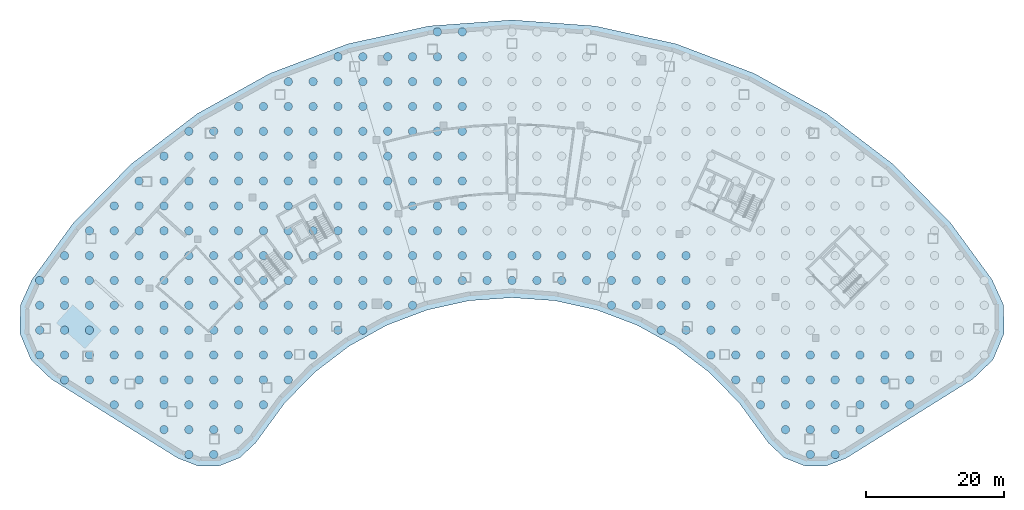
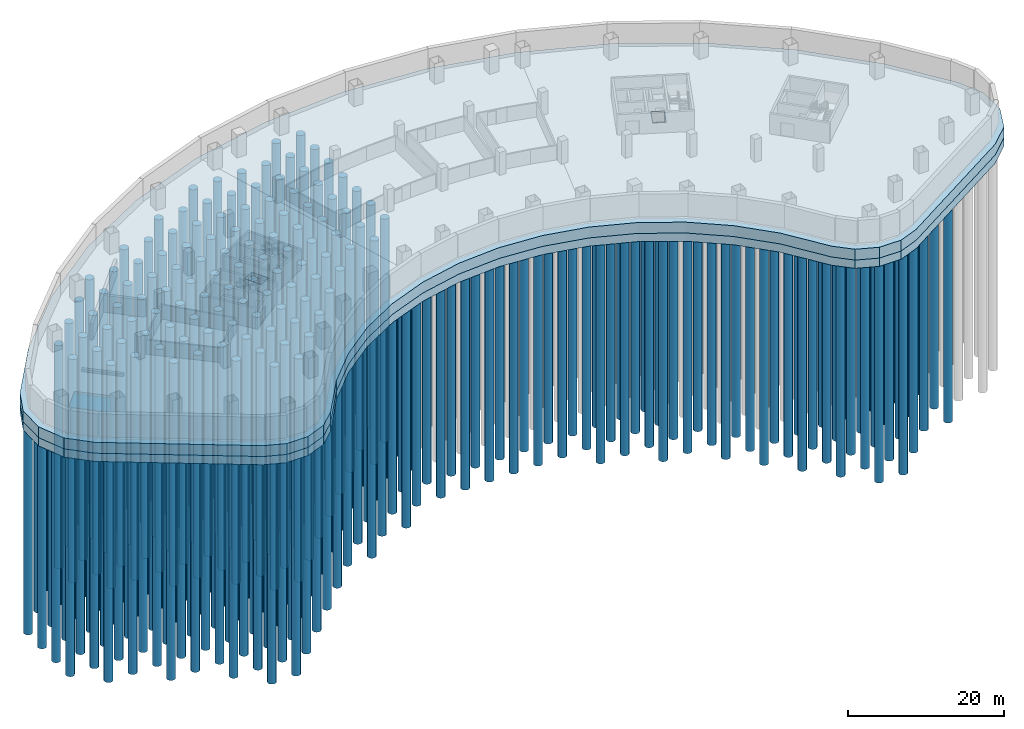
# One storey, part 1 of 10: 253 piles, 2 footings.
"""IFC4 building model written with IfcOpenShell, lengths in metres."""

from ifc_helpers import new_model, si_unit, direction, frame, origin, origin_2d, place, context, subcontext, project, spatial, polyline, circle, outline, extrude, material, layer, layer_set, material_profile, profile_set, type_object, element, save


model = new_model("IFC4")

# Units and contexts
model_context = context("Model", 3, precision=1e-05, world=origin(), true_north=direction((0.0, 1.0)))
body_context = subcontext(model_context, "Body", "Model", "MODEL_VIEW")
ifc_project = project(units=[si_unit("LENGTHUNIT", "METRE"), si_unit("AREAUNIT", "SQUARE_METRE"), si_unit("VOLUMEUNIT", "CUBIC_METRE"), si_unit("PLANEANGLEUNIT", "RADIAN"), si_unit("MASSUNIT", "GRAM", prefix="KILO")], contexts=[model_context])

# Site, building, storey
site_placement = place(None, origin())
site = spatial("IfcSite", under=ifc_project, at=site_placement, CompositionType="ELEMENT")
building_placement = place(site_placement, origin())
building = spatial("IfcBuilding", under=site, at=building_placement, Name="Tuul Gate Civic Tower", CompositionType="ELEMENT")
storey_placement = place(building_placement, frame((0.0, 0.0, -11.699951171875)))
storey = spatial("IfcBuildingStorey", under=building, at=storey_placement, Name="Basement 3", CompositionType="ELEMENT", Elevation=-11.699951171875)

# Piles
ifc_material_1 = material(Name="Concrete C50/60", Category="concrete")
ifc_material_profile = material_profile(ifc_material_1, circle(Radius=0.60009765625, at=origin_2d()), Name="PILE1200")
ifc_profile_set = profile_set([ifc_material_profile], Name="Concrete C50/60")
pile_type = type_object("IfcPileType", Name="STR-BORED-PILE-D1200", PredefinedType="BORED", material=ifc_profile_set)
for number, where, z_axis, x_axis, name in (
    (1, (-68.39990234375, -25.199951171875, -3.25), (0.0, 0.0, -1.0), (1.0, 0.0, 0.0), "B3/pile/0001"),
    (2, (-68.39990234375, -21.60009765625, -3.25), (0.0, 0.0, -1.0), (1.0, 0.0, 0.0), "B3/pile/0002"),
    (3, (-68.39990234375, -18.0, -3.25), (0.0, 0.0, -1.0), (1.0, 0.0, 0.0), "B3/pile/0003"),
    (4, (-68.39990234375, -14.39990234375, -3.25), (0.0, 0.0, -1.0), (1.0, 0.0, 0.0), "B3/pile/0004"),
    (5, (-64.800048828125, -28.800048828125, -3.25), (0.0, 0.0, -1.0), (1.0, 0.0, 0.0), "B3/pile/0005"),
    (6, (-64.800048828125, -25.199951171875, -3.25), (0.0, 0.0, -1.0), (1.0, 0.0, 0.0), "B3/pile/0006"),
    (7, (-64.800048828125, -21.60009765625, -3.25), (0.0, 0.0, -1.0), (1.0, 0.0, 0.0), "B3/pile/0007"),
    (8, (-64.800048828125, -18.0, -3.25), (0.0, 0.0, -1.0), (1.0, 0.0, 0.0), "B3/pile/0008"),
    (9, (-64.800048828125, -14.39990234375, -3.25), (0.0, 0.0, -1.0), (1.0, 0.0, 0.0), "B3/pile/0009"),
    (10, (-64.800048828125, -10.800048828125, -3.25), (0.0, 0.0, -1.0), (1.0, 0.0, 0.0), "B3/pile/0010"),
    (11, (-61.199951171875, -28.800048828125, -3.25), (0.0, 0.0, -1.0), (1.0, 0.0, 0.0), "B3/pile/0011"),
    (12, (-61.199951171875, -25.199951171875, -3.25), (0.0, 0.0, -1.0), (1.0, 0.0, 0.0), "B3/pile/0012"),
    (13, (-61.199951171875, -21.60009765625, -3.25), (0.0, 0.0, -1.0), (1.0, 0.0, 0.0), "B3/pile/0013"),
    (14, (-61.199951171875, -18.0, -3.25), (0.0, 0.0, -1.0), (1.0, 0.0, 0.0), "B3/pile/0014"),
    (15, (-61.199951171875, -14.39990234375, -3.25), (0.0, 0.0, -1.0), (1.0, 0.0, 0.0), "B3/pile/0015"),
    (16, (-61.199951171875, -10.800048828125, -3.25), (0.0, 0.0, -1.0), (1.0, 0.0, 0.0), "B3/pile/0016"),
    (17, (-61.199951171875, -7.199951171875, -3.25), (0.0, 0.0, -1.0), (1.0, 0.0, 0.0), "B3/pile/0017"),
    (18, (-57.60009765625, -32.39990234375, -3.25), (0.0, 0.0, -1.0), (1.0, 0.0, 0.0), "B3/pile/0018"),
    (19, (-57.60009765625, -28.800048828125, -3.25), (0.0, 0.0, -1.0), (1.0, 0.0, 0.0), "B3/pile/0019"),
    (20, (-57.60009765625, -25.199951171875, -3.25), (0.0, 0.0, -1.0), (1.0, 0.0, 0.0), "B3/pile/0020"),
    (21, (-57.60009765625, -21.60009765625, -3.25), (0.0, 0.0, -1.0), (1.0, 0.0, 0.0), "B3/pile/0021"),
    (22, (-57.60009765625, -18.0, -3.25), (0.0, 0.0, -1.0), (1.0, 0.0, 0.0), "B3/pile/0022"),
    (23, (-57.60009765625, -14.39990234375, -3.25), (0.0, 0.0, -1.0), (1.0, 0.0, 0.0), "B3/pile/0023"),
    (24, (-57.60009765625, -10.800048828125, -3.25), (0.0, 0.0, -1.0), (1.0, 0.0, 0.0), "B3/pile/0024"),
    (25, (-57.60009765625, -7.199951171875, -3.25), (0.0, 0.0, -1.0), (1.0, 0.0, 0.0), "B3/pile/0025"),
    (26, (-57.60009765625, -3.60009765625, -3.25), (0.0, 0.0, -1.0), (1.0, 0.0, 0.0), "B3/pile/0026"),
    (27, (-54.0, -32.39990234375, -3.25), (0.0, 0.0, -1.0), (1.0, 0.0, 0.0), "B3/pile/0027"),
    (28, (-54.0, -28.800048828125, -3.25), (0.0, 0.0, -1.0), (1.0, 0.0, 0.0), "B3/pile/0028"),
    (29, (-54.0, -25.199951171875, -3.25), (0.0, 0.0, -1.0), (1.0, 0.0, 0.0), "B3/pile/0029"),
    (30, (-54.0, -21.60009765625, -3.25), (0.0, 0.0, -1.0), (1.0, 0.0, 0.0), "B3/pile/0030"),
    (31, (-54.0, -18.0, -3.25), (0.0, 0.0, -1.0), (1.0, 0.0, 0.0), "B3/pile/0031"),
    (32, (-54.0, -14.39990234375, -3.25), (0.0, 0.0, -1.0), (1.0, 0.0, 0.0), "B3/pile/0032"),
    (33, (-54.0, -10.800048828125, -3.25), (0.0, 0.0, -1.0), (1.0, 0.0, 0.0), "B3/pile/0033"),
    (34, (-54.0, -7.199951171875, -3.25), (0.0, 0.0, -1.0), (1.0, 0.0, 0.0), "B3/pile/0034"),
    (35, (-54.0, -3.60009765625, -3.25), (0.0, 0.0, -1.0), (1.0, 0.0, 0.0), "B3/pile/0035"),
    (36, (-54.0, 0.0, -3.25), (0.0, 0.0, -1.0), (1.0, 0.0, 0.0), "B3/pile/0036"),
    (37, (-50.39990234375, -36.0, -3.25), (0.0, 0.0, -1.0), (1.0, 0.0, 0.0), "B3/pile/0037"),
    (38, (-50.39990234375, -32.39990234375, -3.25), (0.0, 0.0, -1.0), (1.0, 0.0, 0.0), "B3/pile/0038"),
    (39, (-50.39990234375, -28.800048828125, -3.25), (0.0, 0.0, -1.0), (1.0, 0.0, 0.0), "B3/pile/0039"),
    (40, (-50.39990234375, -25.199951171875, -3.25), (0.0, 0.0, -1.0), (1.0, 0.0, 0.0), "B3/pile/0040"),
    (41, (-50.39990234375, -21.60009765625, -3.25), (0.0, 0.0, -1.0), (1.0, 0.0, 0.0), "B3/pile/0041"),
    (42, (-50.39990234375, -18.0, -3.25), (0.0, 0.0, -1.0), (1.0, 0.0, 0.0), "B3/pile/0042"),
    (43, (-50.39990234375, -14.39990234375, -3.25), (0.0, 0.0, -1.0), (1.0, 0.0, 0.0), "B3/pile/0043"),
    (44, (-50.39990234375, -10.800048828125, -3.25), (0.0, 0.0, -1.0), (1.0, 0.0, 0.0), "B3/pile/0044"),
    (45, (-50.39990234375, -7.199951171875, -3.25), (0.0, 0.0, -1.0), (1.0, 0.0, 0.0), "B3/pile/0045"),
    (46, (-50.39990234375, -3.60009765625, -3.25), (0.0, 0.0, -1.0), (1.0, 0.0, 0.0), "B3/pile/0046"),
    (47, (-50.39990234375, 0.0, -3.25), (0.0, 0.0, -1.0), (1.0, 0.0, 0.0), "B3/pile/0047"),
    (48, (-50.39990234375, 3.60009765625, -3.25), (0.0, 0.0, -1.0), (1.0, 0.0, 0.0), "B3/pile/0048"),
    (49, (-46.800048828125, -39.60009765625, -3.25), (0.0, 0.0, -1.0), (1.0, 0.0, 0.0), "B3/pile/0049"),
    (50, (-46.800048828125, -36.0, -3.25), (0.0, 0.0, -1.0), (1.0, 0.0, 0.0), "B3/pile/0050"),
    (51, (-46.800048828125, -32.39990234375, -3.25), (0.0, 0.0, -1.0), (1.0, 0.0, 0.0), "B3/pile/0051"),
    (52, (-46.800048828125, -28.800048828125, -3.25), (0.0, 0.0, -1.0), (1.0, 0.0, 0.0), "B3/pile/0052"),
    (53, (-46.800048828125, -25.199951171875, -3.25), (0.0, 0.0, -1.0), (1.0, 0.0, 0.0), "B3/pile/0053"),
    (54, (-46.800048828125, -21.60009765625, -3.25), (0.0, 0.0, -1.0), (1.0, 0.0, 0.0), "B3/pile/0054"),
    (55, (-46.800048828125, -18.0, -3.25), (0.0, 0.0, -1.0), (1.0, 0.0, 0.0), "B3/pile/0055"),
    (56, (-46.800048828125, -14.39990234375, -3.25), (0.0, 0.0, -1.0), (1.0, 0.0, 0.0), "B3/pile/0056"),
    (57, (-46.800048828125, -10.800048828125, -3.25), (0.0, 0.0, -1.0), (1.0, 0.0, 0.0), "B3/pile/0057"),
    (58, (-46.800048828125, -7.199951171875, -3.25), (0.0, 0.0, -1.0), (1.0, 0.0, 0.0), "B3/pile/0058"),
    (59, (-46.800048828125, -3.60009765625, -3.25), (0.0, 0.0, -1.0), (1.0, 0.0, 0.0), "B3/pile/0059"),
    (60, (-46.800048828125, 0.0, -3.25), (0.0, 0.0, -1.0), (1.0, 0.0, 0.0), "B3/pile/0060"),
    (61, (-46.800048828125, 3.60009765625, -3.25), (0.0, 0.0, -1.0), (1.0, 0.0, 0.0), "B3/pile/0061"),
    (62, (-46.800048828125, 7.199951171875, -3.25), (0.0, 0.0, -1.0), (1.0, 0.0, 0.0), "B3/pile/0062"),
    (63, (-43.199951171875, -39.60009765625, -3.25), (0.0, 0.0, -1.0), (1.0, 0.0, 0.0), "B3/pile/0063"),
    (64, (-43.199951171875, -36.0, -3.25), (0.0, 0.0, -1.0), (1.0, 0.0, 0.0), "B3/pile/0064"),
    (65, (-43.199951171875, -32.39990234375, -3.25), (0.0, 0.0, -1.0), (1.0, 0.0, 0.0), "B3/pile/0065"),
    (66, (-43.199951171875, -28.800048828125, -3.25), (0.0, 0.0, -1.0), (1.0, 0.0, 0.0), "B3/pile/0066"),
    (67, (-43.199951171875, -25.199951171875, -3.25), (0.0, 0.0, -1.0), (1.0, 0.0, 0.0), "B3/pile/0067"),
    (68, (-43.199951171875, -21.60009765625, -3.25), (0.0, 0.0, -1.0), (1.0, 0.0, 0.0), "B3/pile/0068"),
    (69, (-43.199951171875, -18.0, -3.25), (0.0, 0.0, -1.0), (1.0, 0.0, 0.0), "B3/pile/0069"),
    (70, (-43.199951171875, -14.39990234375, -3.25), (0.0, 0.0, -1.0), (1.0, 0.0, 0.0), "B3/pile/0070"),
    (71, (-43.199951171875, -10.800048828125, -3.25), (0.0, 0.0, -1.0), (1.0, 0.0, 0.0), "B3/pile/0071"),
    (72, (-43.199951171875, -7.199951171875, -3.25), (0.0, 0.0, -1.0), (1.0, 0.0, 0.0), "B3/pile/0072"),
    (73, (-43.199951171875, -3.60009765625, -3.25), (0.0, 0.0, -1.0), (1.0, 0.0, 0.0), "B3/pile/0073"),
    (74, (-43.199951171875, 0.0, -3.25), (0.0, 0.0, -1.0), (1.0, 0.0, 0.0), "B3/pile/0074"),
    (75, (-43.199951171875, 3.60009765625, -3.25), (0.0, 0.0, -1.0), (1.0, 0.0, 0.0), "B3/pile/0075"),
    (76, (-43.199951171875, 7.199951171875, -3.25), (0.0, 0.0, -1.0), (1.0, 0.0, 0.0), "B3/pile/0076"),
    (77, (-39.60009765625, -36.0, -3.25), (0.0, 0.0, -1.0), (1.0, 0.0, 0.0), "B3/pile/0077"),
    (78, (-39.60009765625, -32.39990234375, -3.25), (0.0, 0.0, -1.0), (1.0, 0.0, 0.0), "B3/pile/0078"),
    (79, (-39.60009765625, -28.800048828125, -3.25), (0.0, 0.0, -1.0), (1.0, 0.0, 0.0), "B3/pile/0079"),
    (80, (-39.60009765625, -25.199951171875, -3.25), (0.0, 0.0, -1.0), (1.0, 0.0, 0.0), "B3/pile/0080"),
    (81, (-39.60009765625, -21.60009765625, -3.25), (0.0, 0.0, -1.0), (1.0, 0.0, 0.0), "B3/pile/0081"),
    (82, (-39.60009765625, -18.0, -3.25), (0.0, 0.0, -1.0), (1.0, 0.0, 0.0), "B3/pile/0082"),
    (83, (-39.60009765625, -14.39990234375, -3.25), (0.0, 0.0, -1.0), (1.0, 0.0, 0.0), "B3/pile/0083"),
    (84, (-39.60009765625, -10.800048828125, -3.25), (0.0, 0.0, -1.0), (1.0, 0.0, 0.0), "B3/pile/0084"),
    (85, (-39.60009765625, -7.199951171875, -3.25), (0.0, 0.0, -1.0), (1.0, 0.0, 0.0), "B3/pile/0085"),
    (86, (-39.60009765625, -3.60009765625, -3.25), (0.0, 0.0, -1.0), (1.0, 0.0, 0.0), "B3/pile/0086"),
    (87, (-39.60009765625, 0.0, -3.25), (0.0, 0.0, -1.0), (1.0, 0.0, 0.0), "B3/pile/0087"),
    (88, (-39.60009765625, 3.60009765625, -3.25), (0.0, 0.0, -1.0), (1.0, 0.0, 0.0), "B3/pile/0088"),
    (89, (-39.60009765625, 7.199951171875, -3.25), (0.0, 0.0, -1.0), (1.0, 0.0, 0.0), "B3/pile/0089"),
    (90, (-39.60009765625, 10.800048828125, -3.25), (0.0, 0.0, -1.0), (1.0, 0.0, 0.0), "B3/pile/0090"),
    (91, (-36.0, -32.39990234375, -3.25), (0.0, 0.0, -1.0), (1.0, 0.0, 0.0), "B3/pile/0091"),
    (92, (-36.0, -28.800048828125, -3.25), (0.0, 0.0, -1.0), (1.0, 0.0, 0.0), "B3/pile/0092"),
    (93, (-36.0, -25.199951171875, -3.25), (0.0, 0.0, -1.0), (1.0, 0.0, 0.0), "B3/pile/0093"),
    (94, (-36.0, -21.60009765625, -3.25), (0.0, 0.0, -1.0), (1.0, 0.0, 0.0), "B3/pile/0094"),
    (95, (-36.0, -18.0, -3.25), (0.0, 0.0, -1.0), (1.0, 0.0, 0.0), "B3/pile/0095"),
    (96, (-36.0, -14.39990234375, -3.25), (0.0, 0.0, -1.0), (1.0, 0.0, 0.0), "B3/pile/0096"),
    (97, (-36.0, -10.800048828125, -3.25), (0.0, 0.0, -1.0), (1.0, 0.0, 0.0), "B3/pile/0097"),
    (98, (-36.0, -7.199951171875, -3.25), (0.0, 0.0, -1.0), (1.0, 0.0, 0.0), "B3/pile/0098"),
    (99, (-36.0, -3.60009765625, -3.25), (0.0, 0.0, -1.0), (1.0, 0.0, 0.0), "B3/pile/0099"),
    (100, (-36.0, 0.0, -3.25), (0.0, 0.0, -1.0), (1.0, 0.0, 0.0), "B3/pile/0100"),
    (101, (-36.0, 3.60009765625, -3.25), (0.0, 0.0, -1.0), (1.0, 0.0, 0.0), "B3/pile/0101"),
    (102, (-36.0, 7.199951171875, -3.25), (0.0, 0.0, -1.0), (1.0, 0.0, 0.0), "B3/pile/0102"),
    (103, (-36.0, 10.800048828125, -3.25), (0.0, 0.0, -1.0), (1.0, 0.0, 0.0), "B3/pile/0103"),
    (104, (-32.39990234375, -28.800048828125, -3.25), (0.0, 0.0, -1.0), (1.0, 0.0, 0.0), "B3/pile/0104"),
    (105, (-32.39990234375, -25.199951171875, -3.25), (0.0, 0.0, -1.0), (1.0, 0.0, 0.0), "B3/pile/0105"),
    (106, (-32.39990234375, -21.60009765625, -3.25), (0.0, 0.0, -1.0), (1.0, 0.0, 0.0), "B3/pile/0106"),
    (107, (-32.39990234375, -18.0, -3.25), (0.0, 0.0, -1.0), (1.0, 0.0, 0.0), "B3/pile/0107"),
    (108, (-32.39990234375, -14.39990234375, -3.25), (0.0, 0.0, -1.0), (1.0, 0.0, 0.0), "B3/pile/0108"),
    (109, (-32.39990234375, -10.800048828125, -3.25), (0.0, 0.0, -1.0), (1.0, 0.0, 0.0), "B3/pile/0109"),
    (110, (-32.39990234375, -7.199951171875, -3.25), (0.0, 0.0, -1.0), (1.0, 0.0, 0.0), "B3/pile/0110"),
    (111, (-32.39990234375, -3.60009765625, -3.25), (0.0, 0.0, -1.0), (1.0, 0.0, 0.0), "B3/pile/0111"),
    (112, (-32.39990234375, 0.0, -3.25), (0.0, 0.0, -1.0), (1.0, 0.0, 0.0), "B3/pile/0112"),
    (113, (-32.39990234375, 3.60009765625, -3.25), (0.0, 0.0, -1.0), (1.0, 0.0, 0.0), "B3/pile/0113"),
    (114, (-32.39990234375, 7.199951171875, -3.25), (0.0, 0.0, -1.0), (1.0, 0.0, 0.0), "B3/pile/0114"),
    (115, (-32.39990234375, 10.800048828125, -3.25), (0.0, 0.0, -1.0), (1.0, 0.0, 0.0), "B3/pile/0115"),
    (116, (-32.39990234375, 14.39990234375, -3.25), (0.0, 0.0, -1.0), (1.0, 0.0, 0.0), "B3/pile/0116"),
    (117, (-28.800048828125, -25.199951171875, -3.25), (0.0, 0.0, -1.0), (1.0, 0.0, 0.0), "B3/pile/0117"),
    (118, (-28.800048828125, -21.60009765625, -3.25), (0.0, 0.0, -1.0), (1.0, 0.0, 0.0), "B3/pile/0118"),
    (119, (-28.800048828125, -18.0, -3.25), (0.0, 0.0, -1.0), (1.0, 0.0, 0.0), "B3/pile/0119"),
    (120, (-28.800048828125, -14.39990234375, -3.25), (0.0, 0.0, -1.0), (1.0, 0.0, 0.0), "B3/pile/0120"),
    (121, (-28.800048828125, -10.800048828125, -3.25), (0.0, 0.0, -1.0), (1.0, 0.0, 0.0), "B3/pile/0121"),
    (122, (-28.800048828125, -7.199951171875, -3.25), (0.0, 0.0, -1.0), (1.0, 0.0, 0.0), "B3/pile/0122"),
    (123, (-28.800048828125, -3.60009765625, -3.25), (0.0, 0.0, -1.0), (1.0, 0.0, 0.0), "B3/pile/0123"),
    (124, (-28.800048828125, 0.0, -3.25), (0.0, 0.0, -1.0), (1.0, 0.0, 0.0), "B3/pile/0124"),
    (125, (-28.800048828125, 3.60009765625, -3.25), (0.0, 0.0, -1.0), (1.0, 0.0, 0.0), "B3/pile/0125"),
    (126, (-28.800048828125, 7.199951171875, -3.25), (0.0, 0.0, -1.0), (1.0, 0.0, 0.0), "B3/pile/0126"),
    (127, (-28.800048828125, 10.800048828125, -3.25), (0.0, 0.0, -1.0), (1.0, 0.0, 0.0), "B3/pile/0127"),
    (128, (-28.800048828125, 14.39990234375, -3.25), (0.0, 0.0, -1.0), (1.0, 0.0, 0.0), "B3/pile/0128"),
    (129, (-25.199951171875, -21.60009765625, -3.25), (0.0, 0.0, -1.0), (1.0, 0.0, 0.0), "B3/pile/0129"),
    (130, (-25.199951171875, -18.0, -3.25), (0.0, 0.0, -1.0), (1.0, 0.0, 0.0), "B3/pile/0130"),
    (131, (-25.199951171875, -14.39990234375, -3.25), (0.0, 0.0, -1.0), (1.0, 0.0, 0.0), "B3/pile/0131"),
    (132, (-25.199951171875, -10.800048828125, -3.25), (0.0, 0.0, -1.0), (1.0, 0.0, 0.0), "B3/pile/0132"),
    (133, (-25.199951171875, -7.199951171875, -3.25), (0.0, 0.0, -1.0), (1.0, 0.0, 0.0), "B3/pile/0133"),
    (134, (-25.199951171875, -3.60009765625, -3.25), (0.0, 0.0, -1.0), (1.0, 0.0, 0.0), "B3/pile/0134"),
    (135, (-25.199951171875, 0.0, -3.25), (0.0, 0.0, -1.0), (1.0, 0.0, 0.0), "B3/pile/0135"),
    (136, (-25.199951171875, 3.60009765625, -3.25), (0.0, 0.0, -1.0), (1.0, 0.0, 0.0), "B3/pile/0136"),
    (137, (-25.199951171875, 7.199951171875, -3.25), (0.0, 0.0, -1.0), (1.0, 0.0, 0.0), "B3/pile/0137"),
    (138, (-25.199951171875, 10.800048828125, -3.25), (0.0, 0.0, -1.0), (1.0, 0.0, 0.0), "B3/pile/0138"),
    (139, (-25.199951171875, 14.39990234375, -3.25), (0.0, 0.0, -1.0), (1.0, 0.0, 0.0), "B3/pile/0139"),
    (140, (-25.199951171875, 18.0, -3.25), (0.0, 0.0, -1.0), (1.0, 0.0, 0.0), "B3/pile/0140"),
    (141, (-21.60009765625, -21.60009765625, -3.25), (0.0, 0.0, -1.0), (1.0, 0.0, 0.0), "B3/pile/0141"),
    (142, (-21.60009765625, -18.0, -3.25), (0.0, 0.0, -1.0), (1.0, 0.0, 0.0), "B3/pile/0142"),
    (143, (-21.60009765625, -14.39990234375, -3.25), (0.0, 0.0, -1.0), (1.0, 0.0, 0.0), "B3/pile/0143"),
    (144, (-21.60009765625, -10.800048828125, -3.25), (0.0, 0.0, -1.0), (1.0, 0.0, 0.0), "B3/pile/0144"),
    (145, (-21.60009765625, -7.199951171875, -3.25), (0.0, 0.0, -1.0), (1.0, 0.0, 0.0), "B3/pile/0145"),
    (146, (-21.60009765625, -3.60009765625, -3.25), (0.0, 0.0, -1.0), (1.0, 0.0, 0.0), "B3/pile/0146"),
    (147, (-21.60009765625, 0.0, -3.25), (0.0, 0.0, -1.0), (1.0, 0.0, 0.0), "B3/pile/0147"),
    (148, (-21.60009765625, 3.60009765625, -3.25), (0.0, 0.0, -1.0), (1.0, 0.0, 0.0), "B3/pile/0148"),
    (149, (-21.60009765625, 7.199951171875, -3.25), (0.0, 0.0, -1.0), (1.0, 0.0, 0.0), "B3/pile/0149"),
    (150, (-21.60009765625, 10.800048828125, -3.25), (0.0, 0.0, -1.0), (1.0, 0.0, 0.0), "B3/pile/0150"),
    (151, (-21.60009765625, 14.39990234375, -3.25), (0.0, 0.0, -1.0), (1.0, 0.0, 0.0), "B3/pile/0151"),
    (152, (-21.60009765625, 18.0, -3.25), (0.0, 0.0, -1.0), (1.0, 0.0, 0.0), "B3/pile/0152"),
    (153, (-18.0, -18.0, -3.25), (0.0, 0.0, -1.0), (1.0, 0.0, 0.0), "B3/pile/0153"),
    (154, (-18.0, -14.39990234375, -3.25), (0.0, 0.0, -1.0), (1.0, 0.0, 0.0), "B3/pile/0154"),
    (155, (-18.0, -10.800048828125, -3.25), (0.0, 0.0, -1.0), (1.0, 0.0, 0.0), "B3/pile/0155"),
    (156, (-18.0, -7.199951171875, -3.25), (0.0, 0.0, -1.0), (1.0, 0.0, 0.0), "B3/pile/0156"),
    (157, (-18.0, -3.60009765625, -3.25), (0.0, 0.0, -1.0), (1.0, 0.0, 0.0), "B3/pile/0157"),
    (158, (-18.0, 0.0, -3.25), (0.0, 0.0, -1.0), (1.0, 0.0, 0.0), "B3/pile/0158"),
    (159, (-18.0, 3.60009765625, -3.25), (0.0, 0.0, -1.0), (1.0, 0.0, 0.0), "B3/pile/0159"),
    (160, (-18.0, 7.199951171875, -3.25), (0.0, 0.0, -1.0), (1.0, 0.0, 0.0), "B3/pile/0160"),
    (161, (-18.0, 10.800048828125, -3.25), (0.0, 0.0, -1.0), (1.0, 0.0, 0.0), "B3/pile/0161"),
    (162, (-18.0, 14.39990234375, -3.25), (0.0, 0.0, -1.0), (1.0, 0.0, 0.0), "B3/pile/0162"),
    (163, (-18.0, 18.0, -3.25), (0.0, 0.0, -1.0), (1.0, 0.0, 0.0), "B3/pile/0163"),
    (164, (-14.39990234375, -18.0, -3.25), (0.0, 0.0, -1.0), (1.0, 0.0, 0.0), "B3/pile/0164"),
    (165, (-14.39990234375, -14.39990234375, -3.25), (0.0, 0.0, -1.0), (1.0, 0.0, 0.0), "B3/pile/0165"),
    (166, (-14.39990234375, -10.800048828125, -3.25), (0.0, 0.0, -1.0), (1.0, 0.0, 0.0), "B3/pile/0166"),
    (167, (-14.39990234375, -7.199951171875, -3.25), (0.0, 0.0, -1.0), (1.0, 0.0, 0.0), "B3/pile/0167"),
    (168, (-14.39990234375, -3.60009765625, -3.25), (0.0, 0.0, -1.0), (1.0, 0.0, 0.0), "B3/pile/0168"),
    (169, (-14.39990234375, 0.0, -3.25), (0.0, 0.0, -1.0), (1.0, 0.0, 0.0), "B3/pile/0169"),
    (170, (-14.39990234375, 3.60009765625, -3.25), (0.0, 0.0, -1.0), (1.0, 0.0, 0.0), "B3/pile/0170"),
    (171, (-14.39990234375, 7.199951171875, -3.25), (0.0, 0.0, -1.0), (1.0, 0.0, 0.0), "B3/pile/0171"),
    (172, (-14.39990234375, 10.800048828125, -3.25), (0.0, 0.0, -1.0), (1.0, 0.0, 0.0), "B3/pile/0172"),
    (173, (-14.39990234375, 14.39990234375, -3.25), (0.0, 0.0, -1.0), (1.0, 0.0, 0.0), "B3/pile/0173"),
    (174, (-14.39990234375, 18.0, -3.25), (0.0, 0.0, -1.0), (1.0, 0.0, 0.0), "B3/pile/0174"),
    (175, (-10.800048828125, -14.39990234375, -3.25), (0.0, 0.0, -1.0), (1.0, 0.0, 0.0), "B3/pile/0175"),
    (176, (-10.800048828125, -10.800048828125, -3.25), (0.0, 0.0, -1.0), (1.0, 0.0, 0.0), "B3/pile/0176"),
    (177, (-10.800048828125, -7.199951171875, -3.25), (0.0, 0.0, -1.0), (1.0, 0.0, 0.0), "B3/pile/0177"),
    (178, (-10.800048828125, -3.60009765625, -3.25), (0.0, 0.0, -1.0), (1.0, 0.0, 0.0), "B3/pile/0178"),
    (179, (-10.800048828125, 0.0, -3.25), (0.0, 0.0, -1.0), (1.0, 0.0, 0.0), "B3/pile/0179"),
    (180, (-10.800048828125, 3.60009765625, -3.25), (0.0, 0.0, -1.0), (1.0, 0.0, 0.0), "B3/pile/0180"),
    (181, (-10.800048828125, 7.199951171875, -3.25), (0.0, 0.0, -1.0), (1.0, 0.0, 0.0), "B3/pile/0181"),
    (182, (-10.800048828125, 10.800048828125, -3.25), (0.0, 0.0, -1.0), (1.0, 0.0, 0.0), "B3/pile/0182"),
    (183, (-10.800048828125, 14.39990234375, -3.25), (0.0, 0.0, -1.0), (1.0, 0.0, 0.0), "B3/pile/0183"),
    (184, (-10.800048828125, 18.0, -3.25), (0.0, 0.0, -1.0), (1.0, 0.0, 0.0), "B3/pile/0184"),
    (185, (-10.800048828125, 21.60009765625, -3.25), (0.0, 0.0, -1.0), (1.0, 0.0, 0.0), "B3/pile/0185"),
    (186, (-7.199951171875, -14.39990234375, -3.25), (0.0, 0.0, -1.0), (1.0, 0.0, 0.0), "B3/pile/0186"),
    (187, (-7.199951171875, -10.800048828125, -3.25), (0.0, 0.0, -1.0), (1.0, 0.0, 0.0), "B3/pile/0187"),
    (188, (-7.199951171875, -7.199951171875, -3.25), (0.0, 0.0, -1.0), (1.0, 0.0, 0.0), "B3/pile/0188"),
    (189, (-7.199951171875, -3.60009765625, -3.25), (0.0, 0.0, -1.0), (1.0, 0.0, 0.0), "B3/pile/0189"),
    (190, (-7.199951171875, 0.0, -3.25), (0.0, 0.0, -1.0), (1.0, 0.0, 0.0), "B3/pile/0190"),
    (191, (-7.199951171875, 3.60009765625, -3.25), (0.0, 0.0, -1.0), (1.0, 0.0, 0.0), "B3/pile/0191"),
    (192, (-7.199951171875, 7.199951171875, -3.25), (0.0, 0.0, -1.0), (1.0, 0.0, 0.0), "B3/pile/0192"),
    (193, (-7.199951171875, 10.800048828125, -3.25), (0.0, 0.0, -1.0), (1.0, 0.0, 0.0), "B3/pile/0193"),
    (194, (-7.199951171875, 14.39990234375, -3.25), (0.0, 0.0, -1.0), (1.0, 0.0, 0.0), "B3/pile/0194"),
    (195, (-7.199951171875, 18.0, -3.25), (0.0, 0.0, -1.0), (1.0, 0.0, 0.0), "B3/pile/0195"),
    (196, (-7.199951171875, 21.60009765625, -3.25), (0.0, 0.0, -1.0), (1.0, 0.0, 0.0), "B3/pile/0196"),
    (197, (-3.60009765625, -14.39990234375, -3.25), (0.0, 0.0, -1.0), (1.0, 0.0, 0.0), "B3/pile/0197"),
    (198, (-3.60009765625, -10.800048828125, -3.25), (0.0, 0.0, -1.0), (1.0, 0.0, 0.0), "B3/pile/0198"),
    (199, (0.0, -14.39990234375, -3.25), (0.0, 0.0, -1.0), (1.0, 0.0, 0.0), "B3/pile/0208"),
    (200, (0.0, -10.800048828125, -3.25), (0.0, 0.0, -1.0), (1.0, 0.0, 0.0), "B3/pile/0209"),
    (201, (3.60009765625, -14.39990234375, -3.25), (0.0, 0.0, -1.0), (1.0, 0.0, 0.0), "B3/pile/0219"),
    (202, (3.60009765625, -10.800048828125, -3.25), (0.0, 0.0, -1.0), (1.0, 0.0, 0.0), "B3/pile/0220"),
    (203, (7.199951171875, -14.39990234375, -3.25), (0.0, 0.0, -1.0), (1.0, 0.0, 0.0), "B3/pile/0230"),
    (204, (7.199951171875, -10.800048828125, -3.25), (0.0, 0.0, -1.0), (1.0, 0.0, 0.0), "B3/pile/0231"),
    (205, (10.800048828125, -14.39990234375, -3.25), (0.0, 0.0, -1.0), (1.0, 0.0, 0.0), "B3/pile/0241"),
    (206, (10.800048828125, -10.800048828125, -3.25), (0.0, 0.0, -1.0), (1.0, 0.0, 0.0), "B3/pile/0242"),
    (207, (14.39990234375, -18.0, -3.25), (0.0, 0.0, -1.0), (1.0, 0.0, 0.0), "B3/pile/0252"),
    (208, (14.39990234375, -14.39990234375, -3.25), (0.0, 0.0, -1.0), (1.0, 0.0, 0.0), "B3/pile/0253"),
    (209, (14.39990234375, -10.800048828125, -3.25), (0.0, 0.0, -1.0), (1.0, 0.0, 0.0), "B3/pile/0254"),
    (210, (18.0, -18.0, -3.25), (0.0, 0.0, -1.0), (1.0, 0.0, 0.0), "B3/pile/0263"),
    (211, (18.0, -14.39990234375, -3.25), (0.0, 0.0, -1.0), (1.0, 0.0, 0.0), "B3/pile/0264"),
    (212, (18.0, -10.800048828125, -3.25), (0.0, 0.0, -1.0), (1.0, 0.0, 0.0), "B3/pile/0265"),
    (213, (21.60009765625, -21.60009765625, -3.25), (0.0, 0.0, -1.0), (1.0, 0.0, 0.0), "B3/pile/0274"),
    (214, (21.60009765625, -18.0, -3.25), (0.0, 0.0, -1.0), (1.0, 0.0, 0.0), "B3/pile/0275"),
    (215, (21.60009765625, -14.39990234375, -3.25), (0.0, 0.0, -1.0), (1.0, 0.0, 0.0), "B3/pile/0276"),
    (216, (21.60009765625, -10.800048828125, -3.25), (0.0, 0.0, -1.0), (1.0, 0.0, 0.0), "B3/pile/0277"),
    (217, (25.199951171875, -21.60009765625, -3.25), (0.0, 0.0, -1.0), (1.0, 0.0, 0.0), "B3/pile/0286"),
    (218, (25.199951171875, -18.0, -3.25), (0.0, 0.0, -1.0), (1.0, 0.0, 0.0), "B3/pile/0287"),
    (219, (25.199951171875, -14.39990234375, -3.25), (0.0, 0.0, -1.0), (1.0, 0.0, 0.0), "B3/pile/0288"),
    (220, (25.199951171875, -10.800048828125, -3.25), (0.0, 0.0, -1.0), (1.0, 0.0, 0.0), "B3/pile/0289"),
    (221, (28.800048828125, -25.199951171875, -3.25), (0.0, 0.0, -1.0), (1.0, 0.0, 0.0), "B3/pile/0298"),
    (222, (28.800048828125, -21.60009765625, -3.25), (0.0, 0.0, -1.0), (1.0, 0.0, 0.0), "B3/pile/0299"),
    (223, (28.800048828125, -18.0, -3.25), (0.0, 0.0, -1.0), (1.0, 0.0, 0.0), "B3/pile/0300"),
    (224, (32.39990234375, -28.800048828125, -3.25), (0.0, 0.0, -1.0), (1.0, 0.0, 0.0), "B3/pile/0310"),
    (225, (32.39990234375, -25.199951171875, -3.25), (0.0, 0.0, -1.0), (1.0, 0.0, 0.0), "B3/pile/0311"),
    (226, (32.39990234375, -21.60009765625, -3.25), (0.0, 0.0, -1.0), (1.0, 0.0, 0.0), "B3/pile/0312"),
    (227, (36.0, -32.39990234375, -3.25), (0.0, 0.0, -1.0), (1.0, 0.0, 0.0), "B3/pile/0323"),
    (228, (36.0, -28.800048828125, -3.25), (0.0, 0.0, -1.0), (1.0, 0.0, 0.0), "B3/pile/0324"),
    (229, (36.0, -25.199951171875, -3.25), (0.0, 0.0, -1.0), (1.0, 0.0, 0.0), "B3/pile/0325"),
    (230, (39.60009765625, -36.0, -3.25), (0.0, 0.0, -1.0), (1.0, 0.0, 0.0), "B3/pile/0336"),
    (231, (39.60009765625, -32.39990234375, -3.25), (0.0, 0.0, -1.0), (1.0, 0.0, 0.0), "B3/pile/0337"),
    (232, (39.60009765625, -28.800048828125, -3.25), (0.0, 0.0, -1.0), (1.0, 0.0, 0.0), "B3/pile/0338"),
    (233, (39.60009765625, -25.199951171875, -3.25), (0.0, 0.0, -1.0), (1.0, 0.0, 0.0), "B3/pile/0339"),
    (234, (43.199951171875, -39.60009765625, -3.25), (0.0, 0.0, -1.0), (1.0, 0.0, 0.0), "B3/pile/0350"),
    (235, (43.199951171875, -36.0, -3.25), (0.0, 0.0, -1.0), (1.0, 0.0, 0.0), "B3/pile/0351"),
    (236, (43.199951171875, -32.39990234375, -3.25), (0.0, 0.0, -1.0), (1.0, 0.0, 0.0), "B3/pile/0352"),
    (237, (43.199951171875, -28.800048828125, -3.25), (0.0, 0.0, -1.0), (1.0, 0.0, 0.0), "B3/pile/0353"),
    (238, (43.199951171875, -25.199951171875, -3.25), (0.0, 0.0, -1.0), (1.0, 0.0, 0.0), "B3/pile/0354"),
    (239, (46.800048828125, -39.60009765625, -3.25), (0.0, 0.0, -1.0), (1.0, 0.0, 0.0), "B3/pile/0364"),
    (240, (46.800048828125, -36.0, -3.25), (0.0, 0.0, -1.0), (1.0, 0.0, 0.0), "B3/pile/0365"),
    (241, (46.800048828125, -32.39990234375, -3.25), (0.0, 0.0, -1.0), (1.0, 0.0, 0.0), "B3/pile/0366"),
    (242, (46.800048828125, -28.800048828125, -3.25), (0.0, 0.0, -1.0), (1.0, 0.0, 0.0), "B3/pile/0367"),
    (243, (46.800048828125, -25.199951171875, -3.25), (0.0, 0.0, -1.0), (1.0, 0.0, 0.0), "B3/pile/0368"),
    (244, (50.39990234375, -36.0, -3.25), (0.0, 0.0, -1.0), (1.0, 0.0, 0.0), "B3/pile/0378"),
    (245, (50.39990234375, -32.39990234375, -3.25), (0.0, 0.0, -1.0), (1.0, 0.0, 0.0), "B3/pile/0379"),
    (246, (50.39990234375, -28.800048828125, -3.25), (0.0, 0.0, -1.0), (1.0, 0.0, 0.0), "B3/pile/0380"),
    (247, (50.39990234375, -25.199951171875, -3.25), (0.0, 0.0, -1.0), (1.0, 0.0, 0.0), "B3/pile/0381"),
    (248, (54.0, -32.39990234375, -3.25), (0.0, 0.0, -1.0), (1.0, 0.0, 0.0), "B3/pile/0390"),
    (249, (54.0, -28.800048828125, -3.25), (0.0, 0.0, -1.0), (1.0, 0.0, 0.0), "B3/pile/0391"),
    (250, (54.0, -25.199951171875, -3.25), (0.0, 0.0, -1.0), (1.0, 0.0, 0.0), "B3/pile/0392"),
    (251, (57.60009765625, -32.39990234375, -3.25), (0.0, 0.0, -1.0), (1.0, 0.0, 0.0), "B3/pile/0400"),
    (252, (57.60009765625, -28.800048828125, -3.25), (0.0, 0.0, -1.0), (1.0, 0.0, 0.0), "B3/pile/0401"),
    (253, (57.60009765625, -25.199951171875, -3.25), (0.0, 0.0, -1.0), (1.0, 0.0, 0.0), "B3/pile/0402"),
):
    element("IfcPile", number, at=place(storey_placement, frame(where, z_axis=z_axis, x_axis=x_axis)), inside=storey, type_object=pile_type, Name=name, PredefinedType="BORED", context=body_context, shape_type="SweptSolid", body=[
        extrude(circle(Radius=0.60009765625, at=origin_2d()), origin(), (0.0, 0.0, 1.0), 35.0),
    ])

# Footings
ifc_material_2 = material(Name="Concrete C50/60", Category="concrete")
ifc_layer = layer(ifc_material_2, 3.0)
ifc_layer_set = layer_set([ifc_layer], Name="Concrete C50/60")
footing_type = type_object("IfcFootingType", Name="STR-RAFT-3000", PredefinedType="USERDEFINED", material=ifc_layer_set)
footing_1_placement = place(storey_placement, frame((0.0, 0.0, -3.400146484375)))
element("IfcFooting", 254, at=footing_1_placement, inside=storey, type_object=footing_type, Name="B3/raft/1", ObjectType="RAFT", PredefinedType="USERDEFINED", context=body_context, shape_type="SweptSolid", body=[
    extrude(outline(polyline([(69.661865234375, -25.87744140625), (71.25048828125, -22.078857421875), (71.189453125, -17.962646484375), (69.525634765625, -14.289794921875), (63.560791015625, -6.123291015625), (55.1337890625, 2.474365234375), (45.555419921875, 9.767578125), (35.025146484375, 15.603759765625), (23.764892578125, 19.86181640625), (12.007568359375, 22.45361328125), (0.0, 23.322998046875), (-12.007568359375, 22.45361328125), (-23.764892578125, 19.86181640625), (-35.025146484375, 15.603759765625), (-45.555419921875, 9.767578125), (-55.1337890625, 2.474365234375), (-63.560791015625, -6.123291015625), (-69.525634765625, -14.289794921875), (-71.189453125, -17.962646484375), (-71.25048828125, -22.078857421875), (-69.661865234375, -25.87744140625), (-66.749755859375, -28.666748046875), (-48.42919921875, -40.115234375), (-45.537841796875, -41.240478515625), (-42.358642578125, -41.2294921875), (-39.40380859375, -40.055419921875), (-37.138427734375, -37.9345703125), (-32.89208984375, -32.11962890625), (-28.5302734375, -27.67138671875), (-23.573486328125, -23.896484375), (-18.124755859375, -20.876708984375), (-12.297119140625, -18.6728515625), (-6.21337890625, -17.331787109375), (0.0, -16.882080078125), (6.21337890625, -17.331787109375), (12.297119140625, -18.6728515625), (18.124755859375, -20.876708984375), (23.573486328125, -23.896484375), (28.5302734375, -27.67138671875), (32.89208984375, -32.11962890625), (37.138427734375, -37.9345703125), (39.40380859375, -40.055419921875), (42.358642578125, -41.2294921875), (45.537841796875, -41.240478515625), (48.42919921875, -40.115234375), (66.749755859375, -28.666748046875), (69.661865234375, -25.87744140625)])), origin(), (0.0, 0.0, 1.0), 1.300048828125),
])
footing_2_placement = place(storey_placement, frame((0.0, 0.0, -2.10009765625)))
element("IfcFooting", 255, at=footing_2_placement, inside=storey, type_object=footing_type, Name="B3/raft-upper/1", ObjectType="RAFT", PredefinedType="USERDEFINED", context=body_context, shape_type="SweptSolid", body=[
    extrude(outline(polyline([(48.42919921875, -40.115234375), (66.749755859375, -28.666748046875), (69.661865234375, -25.87744140625), (71.25048828125, -22.078857421875), (71.189453125, -17.962646484375), (69.525634765625, -14.289794921875), (63.560791015625, -6.123291015625), (55.1337890625, 2.474365234375), (45.555419921875, 9.767578125), (35.025146484375, 15.603759765625), (23.764892578125, 19.86181640625), (12.007568359375, 22.45361328125), (0.0, 23.322998046875), (-12.007568359375, 22.45361328125), (-23.764892578125, 19.86181640625), (-35.025146484375, 15.603759765625), (-45.555419921875, 9.767578125), (-55.1337890625, 2.474365234375), (-63.560791015625, -6.123291015625), (-69.525634765625, -14.289794921875), (-71.189453125, -17.962646484375), (-71.25048828125, -22.078857421875), (-69.661865234375, -25.87744140625), (-66.749755859375, -28.666748046875), (-48.42919921875, -40.115234375), (-45.537841796875, -41.240478515625), (-42.358642578125, -41.2294921875), (-39.40380859375, -40.055419921875), (-37.138427734375, -37.9345703125), (-32.89208984375, -32.11962890625), (-28.5302734375, -27.67138671875), (-23.573486328125, -23.896484375), (-18.124755859375, -20.876708984375), (-12.297119140625, -18.6728515625), (-6.21337890625, -17.331787109375), (0.0, -16.882080078125), (6.21337890625, -17.331787109375), (12.297119140625, -18.6728515625), (18.124755859375, -20.876708984375), (23.573486328125, -23.896484375), (28.5302734375, -27.67138671875), (32.89208984375, -32.11962890625), (37.138427734375, -37.9345703125), (39.40380859375, -40.055419921875), (42.358642578125, -41.2294921875), (45.537841796875, -41.240478515625), (48.42919921875, -40.115234375)]), holes=[polyline([(-30.254638671875, -5.728515625), (-29.0185546875, -7.958740234375), (-30.54931640625, -8.80712890625), (-31.785400390625, -6.576904296875), (-30.254638671875, -5.728515625)]), polyline([(32.60888671875, -3.32080078125), (31.02294921875, -2.581298828125), (32.1005859375, -0.27001953125), (33.6865234375, -1.009765625), (32.60888671875, -3.32080078125)])]), origin(), (0.0, 0.0, 1.0), 1.699951171875),
])

save(model, "model.ifc")
